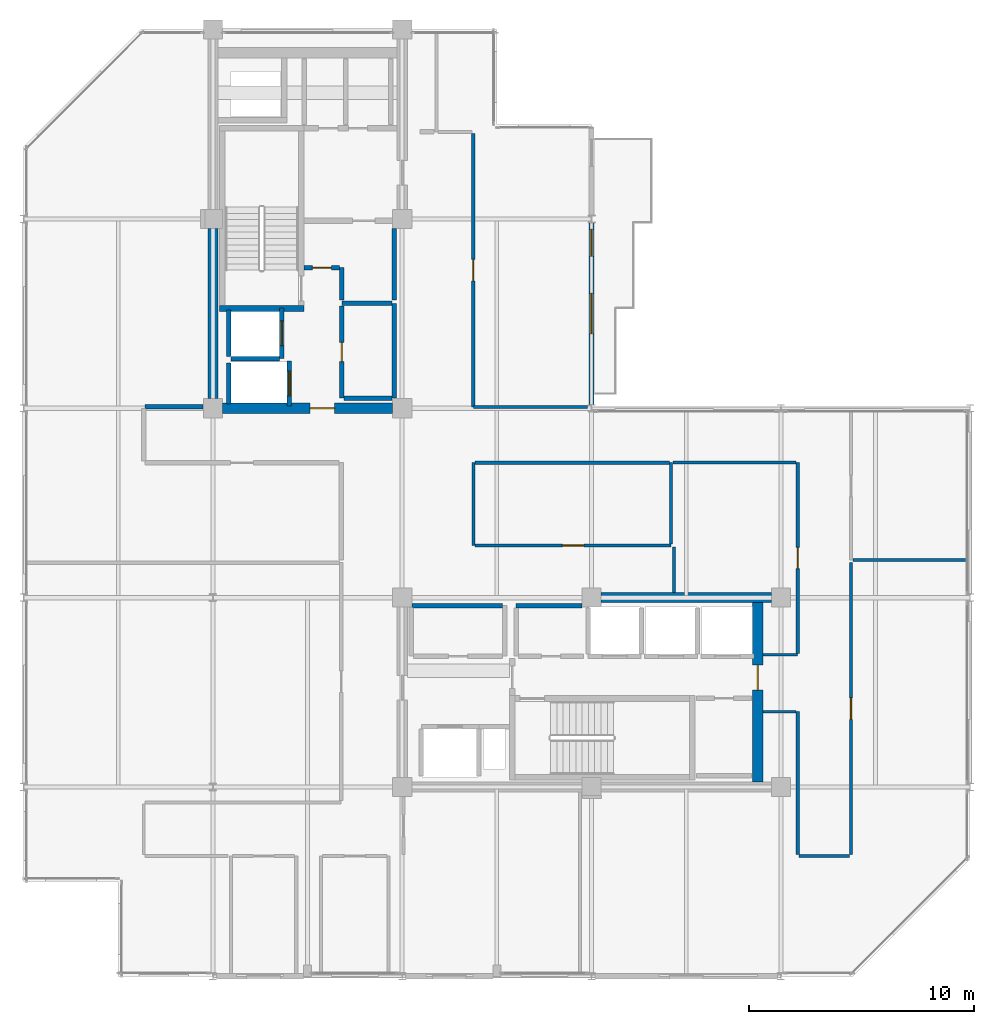
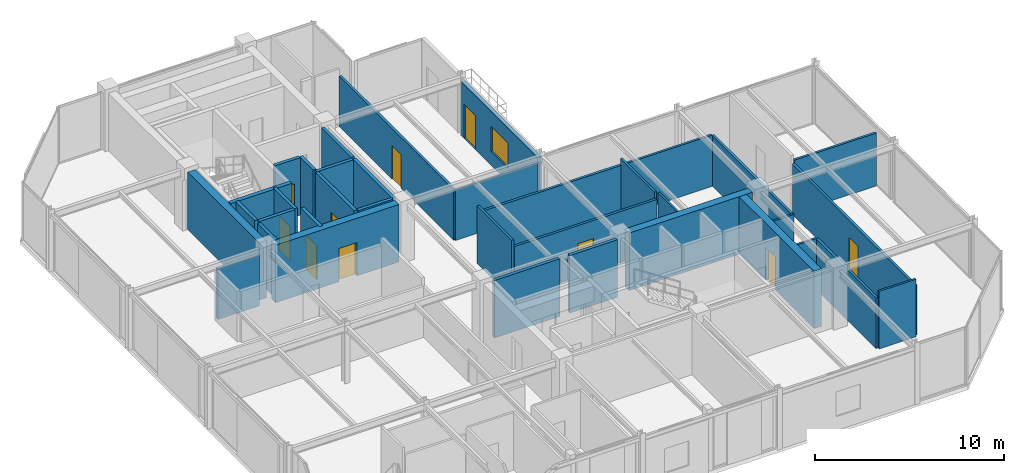
# One storey, part 22 of 26: 36 walls, 11 doors, 1 window, 12 openings.
"""IFC4 building model written with IfcOpenShell, lengths in metres."""

from ifc_helpers import new_model, si_unit, direction, frame, frame_2d, origin, place, context, subcontext, project, spatial, rectangle, extrude, material, layer, layer_set, type_object, element, fill, save


model = new_model("IFC4")

# Units and contexts
model_context = context("Model", 3, precision=1e-05, world=origin(), true_north=direction((0.0, 1.0)))
body_context = subcontext(model_context, "Body", "Model", "MODEL_VIEW")
ifc_project = project(units=[si_unit("LENGTHUNIT", "METRE"), si_unit("AREAUNIT", "SQUARE_METRE"), si_unit("VOLUMEUNIT", "CUBIC_METRE"), si_unit("PLANEANGLEUNIT", "RADIAN"), si_unit("MASSUNIT", "GRAM", prefix="KILO")], contexts=[model_context])

# Site, building, storey
site_placement = place(None, origin())
site = spatial("IfcSite", under=ifc_project, at=site_placement, CompositionType="ELEMENT")
building_placement = place(site_placement, origin())
building = spatial("IfcBuilding", under=site, at=building_placement, Name="Nerrivon Quay Data Exchange", CompositionType="ELEMENT")
storey_placement = place(building_placement, frame((0.0, 0.0, 258.199951171875)))
storey = spatial("IfcBuildingStorey", under=building, at=storey_placement, Name="L61", CompositionType="ELEMENT", Elevation=258.199951171875)

# Wall, openings, door, window
ifc_material_1 = material(Name="Architectural terracotta precast concrete N50 (50 MPa)", Category="masonry")
ifc_layer_1 = layer(ifc_material_1, 0.239990234375)
ifc_layer_set_1 = layer_set([ifc_layer_1], Name="Architectural terracotta precast concrete N50 (50 MPa)")
wall_type_1 = type_object("IfcWallType", Name="EW-PREC-240", PredefinedType="STANDARD", material=ifc_layer_set_1)
wall_1_placement = place(storey_placement, frame((25.199951171875, 33.4365234375, 0.0), z_axis=(0.0, 0.0, 1.0), x_axis=(0.0, -1.0, 0.0)))
wall_1 = element("IfcWall", 1, at=wall_1_placement, inside=storey, type_object=wall_type_1, Name="L61 Terrace Host Wall 23", PredefinedType="STANDARD", context=body_context, shape_type="SweptSolid", body=[
    extrude(rectangle(XDim=8.072998046875, YDim=0.239990234375, at=frame_2d((4.03662109375, 0.0))), origin(), (0.0, 0.0, 1.0), 3.47509765625),
])
opening_1_placement = place(wall_1_placement, frame((0.300048828125, 0.0, 0.0)))
opening_1 = element("IfcOpeningElement", 2, at=opening_1_placement, cuts=wall_1, Name="Opening TD1", PredefinedType="OPENING", context=body_context, shape_type="SweptSolid", body=[
    extrude(rectangle(XDim=1.199951171875, YDim=2.199951171875, at=frame_2d((0.60009765625, 1.10009765625))), frame((0.0, 0.1298828125, 0.0), z_axis=(0.0, -1.0, 0.0), x_axis=(1.0, 0.0, 0.0)), (0.0, 0.0, 1.0), 0.260009765625),
])
opening_2_placement = place(wall_1_placement, frame((3.136474609375, 0.0, 0.89990234375)))
opening_2 = element("IfcOpeningElement", 3, at=opening_2_placement, cuts=wall_1, Name="Opening WN2", PredefinedType="OPENING", context=body_context, shape_type="SweptSolid", body=[
    extrude(rectangle(XDim=1.800048828125, YDim=1.60009765625, at=frame_2d((0.89990234375, 0.800048828125))), frame((0.0, 0.1298828125, 0.0), z_axis=(0.0, -1.0, 0.0), x_axis=(1.0, 0.0, 0.0)), (0.0, 0.0, 1.0), 0.260009765625),
])
ifc_material_2 = material(Name="Double-glazed low-E solar control glass", Category="glass")
door_type_1 = type_object("IfcDoorType", Name="DR-TERR-1200x2200", OperationType="NOTDEFINED", PredefinedType="DOOR", material=ifc_material_2)
door_1_placement = place(opening_1_placement, origin())
door_1 = element("IfcDoor", 4, at=door_1_placement, inside=storey, type_object=door_type_1, Name="L61 Outdoor Terrace Access Door 23", OperationType="SINGLE_SWING_RIGHT", OverallHeight=2.199951171875, OverallWidth=1.199951171875, PredefinedType="DOOR", context=body_context, shape_type="SweptSolid", body=[
    extrude(rectangle(XDim=1.199951171875, YDim=2.199951171875, at=frame_2d((0.60009765625, 1.10009765625))), frame((0.0, 0.02490234375, 0.0), z_axis=(0.0, -1.0, 0.0), x_axis=(1.0, 0.0, 0.0)), (0.0, 0.0, 1.0), 0.050048828125),
])
fill(opening_1, door_1)
window_type = type_object("IfcWindowType", Name="WIN-W2-1800x1600", PartitioningType="SINGLE_PANEL", PredefinedType="WINDOW", material=ifc_material_2)
window_placement = place(opening_2_placement, origin())
window = element("IfcWindow", 5, at=window_placement, inside=storey, type_object=window_type, Name="L61 Terrace Side Window 23", OverallHeight=1.60009765625, OverallWidth=1.800048828125, PartitioningType="SINGLE_PANEL", PredefinedType="WINDOW", context=body_context, shape_type="SweptSolid", body=[
    extrude(rectangle(XDim=1.800048828125, YDim=1.60009765625, at=frame_2d((0.89990234375, 0.800048828125))), frame((0.0, 0.030029296875, 0.0), z_axis=(0.0, -1.0, 0.0), x_axis=(1.0, 0.0, 0.0)), (0.0, 0.0, 1.0), 0.06005859375),
])
fill(opening_2, window)

# Wall
ifc_material_3 = material(Name="Concrete N50 (50 MPa)", Category="concrete")
ifc_layer_2 = layer(ifc_material_3, 0.449951171875)
ifc_layer_set_2 = layer_set([ifc_layer_2], Name="Concrete N50 (50 MPa)")
wall_type_2 = type_object("IfcWallType", Name="WALL-CW-550", PredefinedType="SHEAR", material=ifc_layer_set_2)
wall_2_placement = place(storey_placement, frame((8.39990234375, 25.625, 0.0), z_axis=(0.0, 0.0, 1.0), x_axis=(0.0, 1.0, 0.0)))
element("IfcWall", 6, at=wall_2_placement, inside=storey, type_object=wall_type_2, Name="L61 West Split-Core Shear Wall WCW-W1", PredefinedType="SHEAR", context=body_context, shape_type="SweptSolid", body=[
    extrude(rectangle(XDim=7.550048828125, YDim=0.449951171875, at=frame_2d((3.77490234375, 0.0))), origin(), (0.0, 0.0, 1.0), 3.72509765625),
])

# Wall, opening, door
wall_3_placement = place(storey_placement, frame((8.824951171875, 25.199951171875, 0.0), z_axis=(0.0, 0.0, 1.0), x_axis=(1.0, 0.0, 0.0)))
wall_3 = element("IfcWall", 7, at=wall_3_placement, inside=storey, type_object=wall_type_2, Name="L61 West Split-Core Shear Wall WCW-S1", PredefinedType="SHEAR", context=body_context, shape_type="SweptSolid", body=[
    extrude(rectangle(XDim=7.550048828125, YDim=0.449951171875, at=frame_2d((3.77490234375, 0.0))), origin(), (0.0, 0.0, 1.0), 3.72509765625),
])
opening_3_placement = place(wall_3_placement, frame((3.875, 0.0, 0.0)))
opening_3 = element("IfcOpeningElement", 8, at=opening_3_placement, cuts=wall_3, Name="Opening FD-120", PredefinedType="OPENING", context=body_context, shape_type="SweptSolid", body=[
    extrude(rectangle(XDim=1.10009765625, YDim=2.14990234375, at=frame_2d((0.550048828125, 1.074951171875))), frame((0.0, 0.23486328125, 0.0), z_axis=(0.0, -1.0, 0.0), x_axis=(1.0, 0.0, 0.0)), (0.0, 0.0, 1.0), 0.469970703125),
])
ifc_material_4 = material(Name="Powder-coated galvanized steel sheet", Category="steel")
door_type_2 = type_object("IfcDoorType", Name="DR-FD120-1100", OperationType="NOTDEFINED", PredefinedType="DOOR", material=ifc_material_4)
door_2_placement = place(opening_3_placement, origin())
door_2 = element("IfcDoor", 9, at=door_2_placement, inside=storey, type_object=door_type_2, Name="L61 West Core Lobby Fire Door", OperationType="SINGLE_SWING_LEFT", OverallHeight=2.14990234375, OverallWidth=1.10009765625, PredefinedType="DOOR", context=body_context, shape_type="SweptSolid", body=[
    extrude(rectangle(XDim=1.10009765625, YDim=2.14990234375, at=frame_2d((0.550048828125, 1.074951171875))), frame((0.0, 0.02490234375, 0.0), z_axis=(0.0, -1.0, 0.0), x_axis=(1.0, 0.0, 0.0)), (0.0, 0.0, 1.0), 0.050048828125),
])
fill(opening_3, door_2)

wall_4_placement = place(storey_placement, frame((32.574951171875, 8.625, 0.0), z_axis=(0.0, 0.0, 1.0), x_axis=(0.0, 1.0, 0.0)))
wall_4 = element("IfcWall", 10, at=wall_4_placement, inside=storey, type_object=wall_type_2, Name="L61 East Split-Core Shear Wall ECW-E1", PredefinedType="SHEAR", context=body_context, shape_type="SweptSolid", body=[
    extrude(rectangle(XDim=7.949951171875, YDim=0.449951171875, at=frame_2d((3.97509765625, 0.0))), origin(), (0.0, 0.0, 1.0), 3.72509765625),
])
opening_4_placement = place(wall_4_placement, frame((4.074951171875, 0.0, 0.0)))
opening_4 = element("IfcOpeningElement", 11, at=opening_4_placement, cuts=wall_4, Name="Opening FD-120", PredefinedType="OPENING", context=body_context, shape_type="SweptSolid", body=[
    extrude(rectangle(XDim=1.10009765625, YDim=2.14990234375, at=frame_2d((0.550048828125, 1.074951171875))), frame((0.0, 0.23486328125, 0.0), z_axis=(0.0, -1.0, 0.0), x_axis=(1.0, 0.0, 0.0)), (0.0, 0.0, 1.0), 0.469970703125),
])
door_3_placement = place(opening_4_placement, origin())
door_3 = element("IfcDoor", 12, at=door_3_placement, inside=storey, type_object=door_type_2, Name="L61 East Core Lobby Fire Door", OperationType="SINGLE_SWING_RIGHT", OverallHeight=2.14990234375, OverallWidth=1.10009765625, PredefinedType="DOOR", context=body_context, shape_type="SweptSolid", body=[
    extrude(rectangle(XDim=1.10009765625, YDim=2.14990234375, at=frame_2d((0.550048828125, 1.074951171875))), frame((0.0, 0.02490234375, 0.0), z_axis=(0.0, -1.0, 0.0), x_axis=(1.0, 0.0, 0.0)), (0.0, 0.0, 1.0), 0.050048828125),
])
fill(opening_4, door_3)

# Wall
wall_5_placement = place(storey_placement, frame((25.625, 16.800048828125, 0.0), z_axis=(0.0, 0.0, 1.0), x_axis=(1.0, 0.0, 0.0)))
element("IfcWall", 13, at=wall_5_placement, inside=storey, type_object=wall_type_2, Name="L61 East Split-Core Shear Wall ECW-N1", PredefinedType="SHEAR", context=body_context, shape_type="SweptSolid", body=[
    extrude(rectangle(XDim=7.550048828125, YDim=0.449951171875, at=frame_2d((3.77490234375, 0.0))), origin(), (0.0, 0.0, 1.0), 3.72509765625),
])

# Wall, opening, door
ifc_material_5 = material(Name="Gypsum plasterboard on cold-formed framing", Category="gypsum")
ifc_layer_3 = layer(ifc_material_5, 0.199951171875)
ifc_layer_set_3 = layer_set([ifc_layer_3], Name="Gypsum plasterboard on cold-formed framing")
wall_type_3 = type_object("IfcWallType", Name="WALL-FW-200", PredefinedType="PARTITIONING", material=ifc_layer_set_3)
wall_6_placement = place(storey_placement, frame((11.449951171875, 27.39990234375, 0.0), z_axis=(0.0, 0.0, 1.0), x_axis=(0.0, 1.0, 0.0)))
wall_6 = element("IfcWall", 14, at=wall_6_placement, inside=storey, type_object=wall_type_3, Name="L61 Lift Front Wall FFL-1", PredefinedType="PARTITIONING", context=body_context, shape_type="SweptSolid", body=[
    extrude(rectangle(XDim=2.25, YDim=0.199951171875, at=frame_2d((1.125, 0.0))), origin(), (0.0, 0.0, 1.0), 3.72509765625),
])
opening_5_placement = place(wall_6_placement, frame((0.574951171875, 0.0, 0.0)))
opening_5 = element("IfcOpeningElement", 15, at=opening_5_placement, cuts=wall_6, Name="Opening LD-120", PredefinedType="OPENING", context=body_context, shape_type="SweptSolid", body=[
    extrude(rectangle(XDim=1.10009765625, YDim=2.199951171875, at=frame_2d((0.550048828125, 1.10009765625))), frame((0.0, 0.10986328125, 0.0), z_axis=(0.0, -1.0, 0.0), x_axis=(1.0, 0.0, 0.0)), (0.0, 0.0, 1.0), 0.219970703125),
])
door_type_3 = type_object("IfcDoorType", Name="DR-LIFT-LD120", OperationType="DOUBLE_DOOR_SLIDING", PredefinedType="DOOR", material=ifc_material_4)
door_4_placement = place(opening_5_placement, origin())
door_4 = element("IfcDoor", 16, at=door_4_placement, inside=storey, type_object=door_type_3, Name="L61 Lift Landing Sliding Door FFL-1", OperationType="DOUBLE_DOOR_SLIDING", OverallHeight=2.199951171875, OverallWidth=1.10009765625, PredefinedType="DOOR", context=body_context, shape_type="SweptSolid", body=[
    extrude(rectangle(XDim=1.10009765625, YDim=2.199951171875, at=frame_2d((0.550048828125, 1.10009765625))), frame((0.0, 0.02490234375, 0.0), z_axis=(0.0, -1.0, 0.0), x_axis=(1.0, 0.0, 0.0)), (0.0, 0.0, 1.0), 0.050048828125),
])
fill(opening_5, door_4)

# Walls
wall_7_placement = place(storey_placement, frame((9.10009765625, 27.5, 0.0), z_axis=(0.0, 0.0, 1.0), x_axis=(0.0, 1.0, 0.0)))
element("IfcWall", 17, at=wall_7_placement, inside=storey, type_object=wall_type_3, Name="L61 Lift Shaft Wall FFL-1 WEST", PredefinedType="PARTITIONING", context=body_context, shape_type="SweptSolid", body=[
    extrude(rectangle(XDim=2.050048828125, YDim=0.199951171875, at=frame_2d((1.02490234375, 0.0))), origin(), (0.0, 0.0, 1.0), 3.72509765625),
])
wall_8_placement = place(storey_placement, frame((9.199951171875, 27.39990234375, 0.0), z_axis=(0.0, 0.0, 1.0), x_axis=(1.0, 0.0, 0.0)))
element("IfcWall", 18, at=wall_8_placement, inside=storey, type_object=wall_type_3, Name="L61 Lift Shaft Wall FFL-1 SOUTH", PredefinedType="PARTITIONING", context=body_context, shape_type="SweptSolid", body=[
    extrude(rectangle(XDim=2.150146484375, YDim=0.199951171875, at=frame_2d((1.0751953125, 0.0))), origin(), (0.0, 0.0, 1.0), 3.72509765625),
])

# Wall, opening, door
wall_9_placement = place(storey_placement, frame((11.800048828125, 25.300048828125, 0.0), z_axis=(0.0, 0.0, 1.0), x_axis=(0.0, 1.0, 0.0)))
wall_9 = element("IfcWall", 19, at=wall_9_placement, inside=storey, type_object=wall_type_3, Name="L61 Lift Front Wall SVL-1", PredefinedType="PARTITIONING", context=body_context, shape_type="SweptSolid", body=[
    extrude(rectangle(XDim=2.0, YDim=0.199951171875, at=frame_2d((1.0, 0.0))), origin(), (0.0, 0.0, 1.0), 3.72509765625),
])
opening_6_placement = place(wall_9_placement, frame((0.449951171875, 0.0, 0.0)))
opening_6 = element("IfcOpeningElement", 20, at=opening_6_placement, cuts=wall_9, Name="Opening LD-120", PredefinedType="OPENING", context=body_context, shape_type="SweptSolid", body=[
    extrude(rectangle(XDim=1.10009765625, YDim=2.199951171875, at=frame_2d((0.550048828125, 1.10009765625))), frame((0.0, 0.10986328125, 0.0), z_axis=(0.0, -1.0, 0.0), x_axis=(1.0, 0.0, 0.0)), (0.0, 0.0, 1.0), 0.219970703125),
])
door_5_placement = place(opening_6_placement, origin())
door_5 = element("IfcDoor", 21, at=door_5_placement, inside=storey, type_object=door_type_3, Name="L61 Lift Landing Sliding Door SVL-1", OperationType="DOUBLE_DOOR_SLIDING", OverallHeight=2.199951171875, OverallWidth=1.10009765625, PredefinedType="DOOR", context=body_context, shape_type="SweptSolid", body=[
    extrude(rectangle(XDim=1.10009765625, YDim=2.199951171875, at=frame_2d((0.550048828125, 1.10009765625))), frame((0.0, 0.02490234375, 0.0), z_axis=(0.0, -1.0, 0.0), x_axis=(1.0, 0.0, 0.0)), (0.0, 0.0, 1.0), 0.050048828125),
])
fill(opening_6, door_5)

# Walls
wall_10_placement = place(storey_placement, frame((9.10009765625, 25.39990234375, 0.0), z_axis=(0.0, 0.0, 1.0), x_axis=(0.0, 1.0, 0.0)))
element("IfcWall", 22, at=wall_10_placement, inside=storey, type_object=wall_type_3, Name="L61 Lift Shaft Wall SVL-1 WEST", PredefinedType="PARTITIONING", context=body_context, shape_type="SweptSolid", body=[
    extrude(rectangle(XDim=1.800048828125, YDim=0.199951171875, at=frame_2d((0.89990234375, 0.0))), origin(), (0.0, 0.0, 1.0), 3.72509765625),
])
wall_11_placement = place(storey_placement, frame((16.449951171875, 25.64990234375, 0.0), z_axis=(0.0, 0.0, 1.0), x_axis=(0.0, 1.0, 0.0)))
element("IfcWall", 23, at=wall_11_placement, inside=storey, type_object=wall_type_3, Name="L61 Partition Telemetry Hub Closet", PredefinedType="PARTITIONING", context=body_context, shape_type="SweptSolid", body=[
    extrude(rectangle(XDim=4.2001953125, YDim=0.199951171875, at=frame_2d((2.10009765625, 0.0))), origin(), (0.0, 0.0, 1.0), 3.72509765625),
])
wall_12_placement = place(storey_placement, frame((16.345947265625, 29.85009765625, 0.0), z_axis=(0.0, 0.0, 1.0), x_axis=(-1.0, 0.0, 0.0)))
element("IfcWall", 24, at=wall_12_placement, inside=storey, type_object=wall_type_3, Name="L61 Partition Telemetry Hub Closet", PredefinedType="PARTITIONING", context=body_context, shape_type="SweptSolid", body=[
    extrude(rectangle(XDim=2.225830078125, YDim=0.199951171875, at=frame_2d((1.11279296875, 0.0))), origin(), (0.0, 0.0, 1.0), 3.72509765625),
])

# Wall, opening, door
wall_13_placement = place(storey_placement, frame((14.1201171875, 29.74609375, 0.0), z_axis=(0.0, 0.0, 1.0), x_axis=(0.0, -1.0, 0.0)))
wall_13 = element("IfcWall", 25, at=wall_13_placement, inside=storey, type_object=wall_type_3, Name="L61 Partition Telemetry Hub Closet", PredefinedType="PARTITIONING", context=body_context, shape_type="SweptSolid", body=[
    extrude(rectangle(XDim=4.09619140625, YDim=0.199951171875, at=frame_2d((2.048095703125, 0.0))), origin(), (0.0, 0.0, 1.0), 3.72509765625),
])
opening_7_placement = place(wall_13_placement, frame((1.623046875, 0.0, 0.0)))
opening_7 = element("IfcOpeningElement", 26, at=opening_7_placement, cuts=wall_13, Name="Opening FD-60S", PredefinedType="OPENING", context=body_context, shape_type="SweptSolid", body=[
    extrude(rectangle(XDim=0.85009765625, YDim=2.14990234375, at=frame_2d((0.425048828125, 1.074951171875))), frame((0.0, 0.10986328125, 0.0), z_axis=(0.0, -1.0, 0.0), x_axis=(1.0, 0.0, 0.0)), (0.0, 0.0, 1.0), 0.219970703125),
])
ifc_material_6 = material(Name="Engineered hardwood timber", Category="wood")
door_type_4 = type_object("IfcDoorType", Name="DR-FD60-850", OperationType="NOTDEFINED", PredefinedType="DOOR", material=ifc_material_6)
door_6_placement = place(opening_7_placement, origin())
door_6 = element("IfcDoor", 27, at=door_6_placement, inside=storey, type_object=door_type_4, Name="L61 Door Telemetry Hub Closet", OperationType="SINGLE_SWING_RIGHT", OverallHeight=2.14990234375, OverallWidth=0.85009765625, PredefinedType="DOOR", context=body_context, shape_type="SweptSolid", body=[
    extrude(rectangle(XDim=0.85009765625, YDim=2.14990234375, at=frame_2d((0.425048828125, 1.074951171875))), frame((0.0, 0.02490234375, 0.0), z_axis=(0.0, -1.0, 0.0), x_axis=(1.0, 0.0, 0.0)), (0.0, 0.0, 1.0), 0.050048828125),
])
fill(opening_7, door_6)

# Walls
wall_14_placement = place(storey_placement, frame((14.22412109375, 25.64990234375, 0.0), z_axis=(0.0, 0.0, 1.0), x_axis=(1.0, 0.0, 0.0)))
element("IfcWall", 28, at=wall_14_placement, inside=storey, type_object=wall_type_3, Name="L61 Partition Telemetry Hub Closet", PredefinedType="PARTITIONING", context=body_context, shape_type="SweptSolid", body=[
    extrude(rectangle(XDim=2.121826171875, YDim=0.199951171875, at=frame_2d((1.06103515625, 0.0))), origin(), (0.0, 0.0, 1.0), 3.72509765625),
])
wall_15_placement = place(storey_placement, frame((14.1201171875, 31.43994140625, 0.0), z_axis=(0.0, 0.0, 1.0), x_axis=(0.0, -1.0, 0.0)))
element("IfcWall", 29, at=wall_15_placement, inside=storey, type_object=wall_type_3, Name="L61 Partition Core Equipment Store", PredefinedType="PARTITIONING", context=body_context, shape_type="SweptSolid", body=[
    extrude(rectangle(XDim=1.43994140625, YDim=0.199951171875, at=frame_2d((0.719970703125, 0.0))), origin(), (0.0, 0.0, 1.0), 3.72509765625),
])
wall_16_placement = place(storey_placement, frame((16.449951171875, 30.0, 0.0), z_axis=(0.0, 0.0, 1.0), x_axis=(0.0, 1.0, 0.0)))
element("IfcWall", 30, at=wall_16_placement, inside=storey, type_object=wall_type_3, Name="L61 Partition Core Equipment Store", PredefinedType="PARTITIONING", context=body_context, shape_type="SweptSolid", body=[
    extrude(rectangle(XDim=3.169921875, YDim=0.199951171875, at=frame_2d((1.5849609375, 0.0))), origin(), (0.0, 0.0, 1.0), 3.72509765625),
])

# Wall, opening, door
wall_17_placement = place(storey_placement, frame((12.4541015625, 31.43994140625, 0.0), z_axis=(0.0, 0.0, 1.0), x_axis=(1.0, 0.0, 0.0)))
wall_17 = element("IfcWall", 31, at=wall_17_placement, inside=storey, type_object=wall_type_3, Name="L61 Partition Core Equipment Store", PredefinedType="PARTITIONING", context=body_context, shape_type="SweptSolid", body=[
    extrude(rectangle(XDim=1.56201171875, YDim=0.199951171875, at=frame_2d((0.781005859375, 0.0))), origin(), (0.0, 0.0, 1.0), 3.72509765625),
])
opening_8_placement = place(wall_17_placement, frame((0.35595703125, 0.0, 0.0)))
opening_8 = element("IfcOpeningElement", 32, at=opening_8_placement, cuts=wall_17, Name="Opening FD-60S", PredefinedType="OPENING", context=body_context, shape_type="SweptSolid", body=[
    extrude(rectangle(XDim=0.85009765625, YDim=2.14990234375, at=frame_2d((0.425048828125, 1.074951171875))), frame((0.0, 0.10986328125, 0.0), z_axis=(0.0, -1.0, 0.0), x_axis=(1.0, 0.0, 0.0)), (0.0, 0.0, 1.0), 0.219970703125),
])
door_7_placement = place(opening_8_placement, origin())
door_7 = element("IfcDoor", 33, at=door_7_placement, inside=storey, type_object=door_type_4, Name="L61 Door Core Equipment Store", OperationType="SINGLE_SWING_LEFT", OverallHeight=2.14990234375, OverallWidth=0.85009765625, PredefinedType="DOOR", context=body_context, shape_type="SweptSolid", body=[
    extrude(rectangle(XDim=0.85009765625, YDim=2.14990234375, at=frame_2d((0.425048828125, 1.074951171875))), frame((0.0, 0.02490234375, 0.0), z_axis=(0.0, -1.0, 0.0), x_axis=(1.0, 0.0, 0.0)), (0.0, 0.0, 1.0), 0.050048828125),
])
fill(opening_8, door_7)

# Walls
wall_18_placement = place(storey_placement, frame((21.24609375, 16.449951171875, 0.0), z_axis=(0.0, 0.0, 1.0), x_axis=(-1.0, 0.0, 0.0)))
element("IfcWall", 34, at=wall_18_placement, inside=storey, type_object=wall_type_3, Name="L61 Partition High-Zone Optical Closet", PredefinedType="PARTITIONING", context=body_context, shape_type="SweptSolid", body=[
    extrude(rectangle(XDim=4.01611328125, YDim=0.199951171875, at=frame_2d((2.008056640625, 0.0))), origin(), (0.0, 0.0, 1.0), 3.72509765625),
])
wall_19_placement = place(storey_placement, frame((24.77001953125, 16.449951171875, 0.0), z_axis=(0.0, 0.0, 1.0), x_axis=(-1.0, 0.0, 0.0)))
element("IfcWall", 35, at=wall_19_placement, inside=storey, type_object=wall_type_3, Name="L61 Partition High-Zone Supply Store", PredefinedType="PARTITIONING", context=body_context, shape_type="SweptSolid", body=[
    extrude(rectangle(XDim=2.919921875, YDim=0.199951171875, at=frame_2d((1.4599609375, 0.0))), origin(), (0.0, 0.0, 1.0), 3.72509765625),
])
wall_20_placement = place(storey_placement, frame((5.39990234375, 25.260009765625, 0.0), z_axis=(0.0, 0.0, 1.0), x_axis=(1.0, 0.0, 0.0)))
element("IfcWall", 36, at=wall_20_placement, inside=storey, type_object=wall_type_3, Name="L61 Partition Colocation Data Workspace 1", PredefinedType="PARTITIONING", context=body_context, shape_type="SweptSolid", body=[
    extrude(rectangle(XDim=2.55517578125, YDim=0.199951171875, at=frame_2d((1.277587890625, 0.0))), origin(), (0.0, 0.0, 1.0), 3.27099609375),
])
ifc_layer_4 = layer(ifc_material_5, 0.1201171875)
ifc_layer_set_4 = layer_set([ifc_layer_4], Name="Gypsum plasterboard on cold-formed framing")
wall_type_4 = type_object("IfcWallType", Name="WALL-PT-120", PredefinedType="PARTITIONING", material=ifc_layer_set_4)
wall_21_placement = place(storey_placement, frame((28.860107421875, 19.050048828125, 0.0), z_axis=(0.0, 0.0, 1.0), x_axis=(0.0, -1.0, 0.0)))
element("IfcWall", 37, at=wall_21_placement, inside=storey, type_object=wall_type_4, Name="L61 Partition Shared Breakout Kitchenette", PredefinedType="PARTITIONING", context=body_context, shape_type="SweptSolid", body=[
    extrude(rectangle(XDim=2.02099609375, YDim=0.1201171875, at=frame_2d((1.010498046875, 0.0))), origin(), (0.0, 0.0, 1.0), 3.72509765625),
])
wall_22_placement = place(storey_placement, frame((32.803955078125, 14.260009765625, 0.0), z_axis=(0.0, 0.0, 1.0), x_axis=(1.0, 0.0, 0.0)))
element("IfcWall", 38, at=wall_22_placement, inside=storey, type_object=wall_type_4, Name="L61 Partition Shared Breakout Kitchenette", PredefinedType="PARTITIONING", context=body_context, shape_type="SweptSolid", body=[
    extrude(rectangle(XDim=1.5361328125, YDim=0.1201171875, at=frame_2d((0.76806640625, 0.0))), origin(), (0.0, 0.0, 1.0), 3.319091796875),
])
wall_23_placement = place(storey_placement, frame((36.64990234375, 5.340087890625, 0.0), z_axis=(0.0, 0.0, 1.0), x_axis=(-1.0, 0.0, 0.0)))
element("IfcWall", 39, at=wall_23_placement, inside=storey, type_object=wall_type_4, Name="L61 Partition Peering Day Lounge", PredefinedType="PARTITIONING", context=body_context, shape_type="SweptSolid", body=[
    extrude(rectangle(XDim=2.25, YDim=0.1201171875, at=frame_2d((1.125, 0.0))), origin(), (0.0, 0.0, 1.0), 3.72509765625),
])
wall_24_placement = place(storey_placement, frame((34.260986328125, 11.739990234375, 0.0), z_axis=(0.0, 0.0, 1.0), x_axis=(-1.0, 0.0, 0.0)))
element("IfcWall", 40, at=wall_24_placement, inside=storey, type_object=wall_type_4, Name="L61 Partition Peering Day Lounge", PredefinedType="PARTITIONING", context=body_context, shape_type="SweptSolid", body=[
    extrude(rectangle(XDim=1.45703125, YDim=0.1201171875, at=frame_2d((0.728515625, 0.0))), origin(), (0.0, 0.0, 1.0), 3.319091796875),
])
ifc_layer_5 = layer(ifc_material_5, 0.135009765625)
ifc_layer_set_5 = layer_set([ifc_layer_5], Name="Gypsum plasterboard on cold-formed framing")
wall_type_5 = type_object("IfcWallType", Name="WALL-PT-135", PredefinedType="PARTITIONING", material=ifc_layer_set_5)
wall_25_placement = place(storey_placement, frame((19.9599609375, 22.7900390625, 0.0), z_axis=(0.0, 0.0, 1.0), x_axis=(0.0, -1.0, 0.0)))
element("IfcWall", 41, at=wall_25_placement, inside=storey, type_object=wall_type_5, Name="L61 Partition Staff Pantry", PredefinedType="PARTITIONING", context=body_context, shape_type="SweptSolid", body=[
    extrude(rectangle(XDim=3.679931640625, YDim=0.135009765625, at=frame_2d((1.83984375, 0.0))), origin(), (0.0, 0.0, 1.0), 3.72509765625),
])
wall_26_placement = place(storey_placement, frame((28.731689453125, 19.18896484375, 0.0), z_axis=(0.0, 0.0, 1.0), x_axis=(0.0, 1.0, 0.0)))
element("IfcWall", 42, at=wall_26_placement, inside=storey, type_object=wall_type_5, Name="L61 Partition Staff Pantry", PredefinedType="PARTITIONING", context=body_context, shape_type="SweptSolid", body=[
    extrude(rectangle(XDim=3.60107421875, YDim=0.135009765625, at=frame_2d((1.800537109375, 0.0))), origin(), (0.0, 0.0, 1.0), 3.72509765625),
])
wall_27_placement = place(storey_placement, frame((34.260986328125, 22.7900390625, 0.0), z_axis=(0.0, 0.0, 1.0), x_axis=(-1.0, 0.0, 0.0)))
element("IfcWall", 43, at=wall_27_placement, inside=storey, type_object=wall_type_5, Name="L61 Partition Shared Breakout Kitchenette", PredefinedType="PARTITIONING", context=body_context, shape_type="SweptSolid", body=[
    extrude(rectangle(XDim=5.457763671875, YDim=0.135009765625, at=frame_2d((2.72900390625, 0.0))), origin(), (0.0, 0.0, 1.0), 3.319091796875),
])
wall_28_placement = place(storey_placement, frame((36.7890625, 18.474853515625, 0.0), z_axis=(0.0, 0.0, 1.0), x_axis=(1.0, 0.0, 0.0)))
element("IfcWall", 44, at=wall_28_placement, inside=storey, type_object=wall_type_5, Name="L61 Partition Engineers Lounge", PredefinedType="PARTITIONING", context=body_context, shape_type="SweptSolid", body=[
    extrude(rectangle(XDim=5.0419921875, YDim=0.135009765625, at=frame_2d((2.52099609375, 0.0))), origin(), (0.0, 0.0, 1.0), 3.421142578125),
])
wall_29_placement = place(storey_placement, frame((19.9599609375, 25.260009765625, 0.0), z_axis=(0.0, 0.0, 1.0), x_axis=(0.999999995352, -9.641342e-05, 0.0)))
element("IfcWall", 45, at=wall_29_placement, inside=storey, type_object=wall_type_5, Name="L61 Partition Engineers Lounge", PredefinedType="PARTITIONING", context=body_context, shape_type="SweptSolid", body=[
    extrude(rectangle(XDim=5.064453125, YDim=0.135009765625, at=frame_2d((2.5322265625, 0.0))), origin(), (0.0, 0.0, 1.0), 3.27099609375),
])

# Wall, opening, door
ifc_layer_6 = layer(ifc_material_5, 0.14990234375)
ifc_layer_set_6 = layer_set([ifc_layer_6], Name="Gypsum plasterboard on cold-formed framing")
wall_type_6 = type_object("IfcWallType", Name="WALL-PT-150", PredefinedType="PARTITIONING", material=ifc_layer_set_6)
wall_30_placement = place(storey_placement, frame((20.031494140625, 19.110107421875, 0.0), z_axis=(0.0, 0.0, 1.0), x_axis=(1.0, 0.0, 0.0)))
wall_30 = element("IfcWall", 46, at=wall_30_placement, inside=storey, type_object=wall_type_6, Name="L61 Partition Staff Pantry", PredefinedType="PARTITIONING", context=body_context, shape_type="SweptSolid", body=[
    extrude(rectangle(XDim=8.7001953125, YDim=0.14990234375, at=frame_2d((4.35009765625, 0.0))), origin(), (0.0, 0.0, 1.0), 3.319091796875),
])
opening_9_placement = place(wall_30_placement, frame((3.875, 0.0, 0.0)))
opening_9 = element("IfcOpeningElement", 47, at=opening_9_placement, cuts=wall_30, Name="Opening D-01", PredefinedType="OPENING", context=body_context, shape_type="SweptSolid", body=[
    extrude(rectangle(XDim=0.949951171875, YDim=2.14990234375, at=frame_2d((0.47509765625, 1.074951171875))), frame((0.0, 0.0849609375, 0.0), z_axis=(0.0, -1.0, 0.0), x_axis=(1.0, 0.0, 0.0)), (0.0, 0.0, 1.0), 0.169921875),
])
door_type_5 = type_object("IfcDoorType", Name="DR-INT-950", OperationType="NOTDEFINED", PredefinedType="DOOR", material=ifc_material_6)
door_8_placement = place(opening_9_placement, origin())
door_8 = element("IfcDoor", 48, at=door_8_placement, inside=storey, type_object=door_type_5, Name="L61 Door Staff Pantry", OperationType="SINGLE_SWING_LEFT", OverallHeight=2.14990234375, OverallWidth=0.949951171875, PredefinedType="DOOR", context=body_context, shape_type="SweptSolid", body=[
    extrude(rectangle(XDim=0.949951171875, YDim=2.14990234375, at=frame_2d((0.47509765625, 1.074951171875))), frame((0.0, 0.02490234375, 0.0), z_axis=(0.0, -1.0, 0.0), x_axis=(1.0, 0.0, 0.0)), (0.0, 0.0, 1.0), 0.050048828125),
])
fill(opening_9, door_8)

# Wall
wall_31_placement = place(storey_placement, frame((28.660400390625, 22.7900390625, 0.0), z_axis=(0.0, 0.0, 1.0), x_axis=(-1.0, 0.0, 0.0)))
element("IfcWall", 49, at=wall_31_placement, inside=storey, type_object=wall_type_6, Name="L61 Partition Staff Pantry", PredefinedType="PARTITIONING", context=body_context, shape_type="SweptSolid", body=[
    extrude(rectangle(XDim=8.62890625, YDim=0.14990234375, at=frame_2d((4.314453125, 0.0))), origin(), (0.0, 0.0, 1.0), 3.319091796875),
])

# Wall, opening, door
wall_32_placement = place(storey_placement, frame((34.340087890625, 14.323974609375, 0.0), z_axis=(0.0, 0.0, 1.0), x_axis=(0.0, 1.0, 0.0)))
wall_32 = element("IfcWall", 50, at=wall_32_placement, inside=storey, type_object=wall_type_6, Name="L61 Partition Shared Breakout Kitchenette", PredefinedType="PARTITIONING", context=body_context, shape_type="SweptSolid", body=[
    extrude(rectangle(XDim=8.466064453125, YDim=0.14990234375, at=frame_2d((4.23291015625, 0.0))), origin(), (0.0, 0.0, 1.0), 3.27099609375),
])
opening_10_placement = place(wall_32_placement, frame((3.758056640625, 0.0, 0.0)))
opening_10 = element("IfcOpeningElement", 51, at=opening_10_placement, cuts=wall_32, Name="Opening D-01", PredefinedType="OPENING", context=body_context, shape_type="SweptSolid", body=[
    extrude(rectangle(XDim=0.949951171875, YDim=2.14990234375, at=frame_2d((0.47509765625, 1.074951171875))), frame((0.0, 0.0849609375, 0.0), z_axis=(0.0, -1.0, 0.0), x_axis=(1.0, 0.0, 0.0)), (0.0, 0.0, 1.0), 0.169921875),
])
door_9_placement = place(opening_10_placement, origin())
door_9 = element("IfcDoor", 52, at=door_9_placement, inside=storey, type_object=door_type_5, Name="L61 Door Shared Breakout Kitchenette", OperationType="SINGLE_SWING_RIGHT", OverallHeight=2.14990234375, OverallWidth=0.949951171875, PredefinedType="DOOR", context=body_context, shape_type="SweptSolid", body=[
    extrude(rectangle(XDim=0.949951171875, YDim=2.14990234375, at=frame_2d((0.47509765625, 1.074951171875))), frame((0.0, 0.02490234375, 0.0), z_axis=(0.0, -1.0, 0.0), x_axis=(1.0, 0.0, 0.0)), (0.0, 0.0, 1.0), 0.050048828125),
])
fill(opening_10, door_9)

wall_33_placement = place(storey_placement, frame((19.9599609375, 37.39990234375, 0.0), z_axis=(0.0, 0.0, 1.0), x_axis=(0.0, -1.0, 0.0)))
wall_33 = element("IfcWall", 53, at=wall_33_placement, inside=storey, type_object=wall_type_6, Name="L61 Partition Engineers Lounge", PredefinedType="PARTITIONING", context=body_context, shape_type="SweptSolid", body=[
    extrude(rectangle(XDim=12.139892578125, YDim=0.14990234375, at=frame_2d((6.06982421875, 0.0))), origin(), (0.0, 0.0, 1.0), 3.27099609375),
])
opening_11_placement = place(wall_33_placement, frame((5.594970703125, 0.0, 0.0)))
opening_11 = element("IfcOpeningElement", 54, at=opening_11_placement, cuts=wall_33, Name="Opening D-01", PredefinedType="OPENING", context=body_context, shape_type="SweptSolid", body=[
    extrude(rectangle(XDim=0.949951171875, YDim=2.14990234375, at=frame_2d((0.47509765625, 1.074951171875))), frame((0.0, 0.0849609375, 0.0), z_axis=(0.0, -1.0, 0.0), x_axis=(1.0, 0.0, 0.0)), (0.0, 0.0, 1.0), 0.169921875),
])
door_10_placement = place(opening_11_placement, origin())
door_10 = element("IfcDoor", 55, at=door_10_placement, inside=storey, type_object=door_type_5, Name="L61 Door Engineers Lounge", OperationType="SINGLE_SWING_LEFT", OverallHeight=2.14990234375, OverallWidth=0.949951171875, PredefinedType="DOOR", context=body_context, shape_type="SweptSolid", body=[
    extrude(rectangle(XDim=0.949951171875, YDim=2.14990234375, at=frame_2d((0.47509765625, 1.074951171875))), frame((0.0, 0.02490234375, 0.0), z_axis=(0.0, -1.0, 0.0), x_axis=(1.0, 0.0, 0.0)), (0.0, 0.0, 1.0), 0.050048828125),
])
fill(opening_11, door_10)

wall_34_placement = place(storey_placement, frame((36.7099609375, 18.354736328125, 0.0), z_axis=(0.0, 0.0, 1.0), x_axis=(0.0, -1.0, 0.0)))
wall_34 = element("IfcWall", 56, at=wall_34_placement, inside=storey, type_object=wall_type_6, Name="L61 Partition Peering Day Lounge", PredefinedType="PARTITIONING", context=body_context, shape_type="SweptSolid", body=[
    extrude(rectangle(XDim=12.954833984375, YDim=0.14990234375, at=frame_2d((6.4775390625, 0.0))), origin(), (0.0, 0.0, 1.0), 3.27099609375),
])
opening_12_placement = place(wall_34_placement, frame((6.00244140625, 0.0, 0.0)))
opening_12 = element("IfcOpeningElement", 57, at=opening_12_placement, cuts=wall_34, Name="Opening D-01", PredefinedType="OPENING", context=body_context, shape_type="SweptSolid", body=[
    extrude(rectangle(XDim=0.949951171875, YDim=2.14990234375, at=frame_2d((0.47509765625, 1.074951171875))), frame((0.0, 0.0849609375, 0.0), z_axis=(0.0, -1.0, 0.0), x_axis=(1.0, 0.0, 0.0)), (0.0, 0.0, 1.0), 0.169921875),
])
door_11_placement = place(opening_12_placement, origin())
door_11 = element("IfcDoor", 58, at=door_11_placement, inside=storey, type_object=door_type_5, Name="L61 Door Peering Day Lounge", OperationType="SINGLE_SWING_RIGHT", OverallHeight=2.14990234375, OverallWidth=0.949951171875, PredefinedType="DOOR", context=body_context, shape_type="SweptSolid", body=[
    extrude(rectangle(XDim=0.949951171875, YDim=2.14990234375, at=frame_2d((0.47509765625, 1.074951171875))), frame((0.0, 0.02490234375, 0.0), z_axis=(0.0, -1.0, 0.0), x_axis=(1.0, 0.0, 0.0)), (0.0, 0.0, 1.0), 0.050048828125),
])
fill(opening_12, door_11)

# Walls
wall_35_placement = place(storey_placement, frame((34.340087890625, 5.39990234375, 0.0), z_axis=(0.0, 0.0, 1.0), x_axis=(0.0, 1.0, 0.0)))
element("IfcWall", 59, at=wall_35_placement, inside=storey, type_object=wall_type_6, Name="L61 Partition Peering Day Lounge", PredefinedType="PARTITIONING", context=body_context, shape_type="SweptSolid", body=[
    extrude(rectangle(XDim=6.340087890625, YDim=0.14990234375, at=frame_2d((3.169921875, 0.0))), origin(), (0.0, 0.0, 1.0), 3.27099609375),
])
ifc_layer_7 = layer(ifc_material_3, 0.25)
ifc_layer_set_7 = layer_set([ifc_layer_7], Name="Concrete N50 (50 MPa)")
wall_type_7 = type_object("IfcWallType", Name="WALL-SW-250", PredefinedType="SHEAR", material=ifc_layer_set_7)
wall_36_placement = place(storey_placement, frame((12.449951171875, 29.625, 0.0), z_axis=(0.0, 0.0, 1.0), x_axis=(-1.0, 0.0, 0.0)))
element("IfcWall", 60, at=wall_36_placement, inside=storey, type_object=wall_type_7, Name="L61 ST01 Structural Stair Core Wall NEAR", PredefinedType="SHEAR", context=body_context, shape_type="SweptSolid", body=[
    extrude(rectangle(XDim=3.75, YDim=0.25, at=frame_2d((1.875, 0.0))), origin(), (0.0, 0.0, 1.0), 3.72509765625),
])

save(model, "model.ifc")
